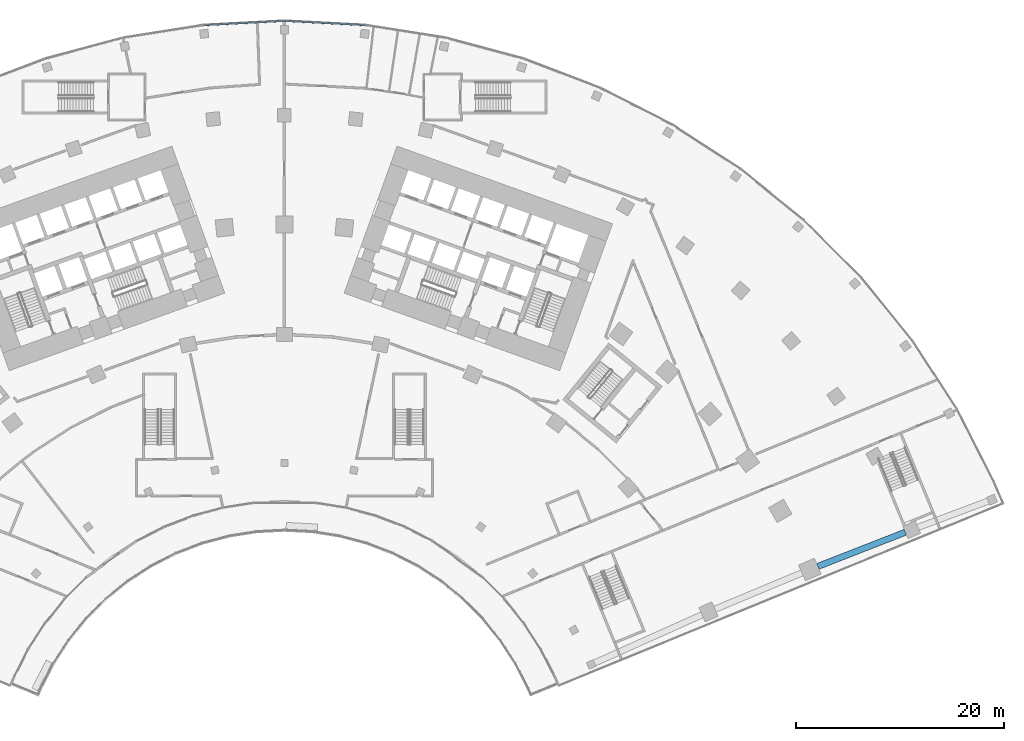
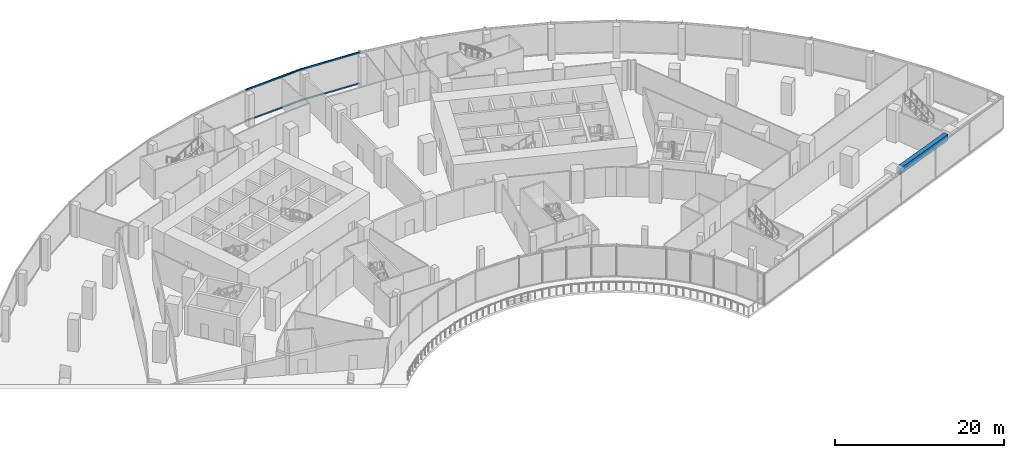
# One storey, part 11 of 39: 4 members, 1 beam, 1 element without a shape of its own.
"""IFC4 building model written with IfcOpenShell, lengths in metres."""

from ifc_helpers import new_model, si_unit, direction, frame, origin, origin_2d, place, context, subcontext, project, spatial, rectangle, extrude, material, layer, layer_set, material_profile, profile_set, type_object, element, aggregate, save


model = new_model("IFC4")

# Units and contexts
model_context = context("Model", 3, precision=1e-05, world=origin(), true_north=direction((0.0, 1.0)))
body_context = subcontext(model_context, "Body", "Model", "MODEL_VIEW")
ifc_project = project(units=[si_unit("LENGTHUNIT", "METRE"), si_unit("AREAUNIT", "SQUARE_METRE"), si_unit("VOLUMEUNIT", "CUBIC_METRE"), si_unit("PLANEANGLEUNIT", "RADIAN"), si_unit("MASSUNIT", "GRAM", prefix="KILO")], contexts=[model_context])

# Site, building, storey
site_placement = place(None, origin())
site = spatial("IfcSite", under=ifc_project, at=site_placement, CompositionType="ELEMENT")
building_placement = place(site_placement, origin())
building = spatial("IfcBuilding", under=site, at=building_placement, Name="Stone Belt Terrace Tower", CompositionType="ELEMENT")
storey_placement = place(building_placement, frame((0.0, 0.0, 20.800048828125)))
storey = spatial("IfcBuildingStorey", under=building, at=storey_placement, Name="L04", CompositionType="ELEMENT", Elevation=20.800048828125)

# Curtain wall, members
ifc_material_1 = material(Name="Aluminium 6063-T6 anodised frame", Category="aluminium")
ifc_layer = layer(ifc_material_1, 0.14990234375)
ifc_layer_set = layer_set([ifc_layer], Name="CW-D podium shopfront")
curtain_wall_type = type_object("IfcCurtainWallType", Name="CW-D podium shopfront", PredefinedType="NOTDEFINED", material=ifc_layer_set)
curtain_wall_placement = place(storey_placement, origin())
curtain_wall = element("IfcCurtainWall", 1, at=curtain_wall_placement, inside=storey, type_object=curtain_wall_type, Name="CW-D convex face L04", PredefinedType="NOTDEFINED")
ifc_material_profile_1 = material_profile(ifc_material_1, rectangle(XDim=0.14990234375, YDim=0.139892578125, at=origin_2d()), Name="Aluminium 6063-T6 150x140")
ifc_profile_set_1 = profile_set([ifc_material_profile_1], Name="Aluminium 6063-T6 anodised frame")
member_type = type_object("IfcMemberType", Name="CW-D transom 140 x 150", PredefinedType="USERDEFINED", material=ifc_profile_set_1)
member_1_placement = place(storey_placement, frame((7.761474609375, 74.16845703125, 0.070068359375), z_axis=(-0.998630871779, 0.052310438058, 0.0), x_axis=(-0.052310438058, -0.998630871779, 0.0)))
member_1 = element("IfcMember", 2, at=member_1_placement, type_object=member_type, Name="CW-D transom 12.1", ObjectType="TRANSOM", PredefinedType="USERDEFINED", context=body_context, shape_type="SweptSolid", body=[
    extrude(rectangle(XDim=0.14990234375, YDim=0.139892578125, at=origin_2d()), origin(), (0.0, 0.0, 1.0), 7.738037109375),
])
member_2_placement = place(storey_placement, frame((7.761474609375, 74.16845703125, 4.530029296875), z_axis=(-0.998630871779, 0.052310438058, 0.0), x_axis=(-0.052310438058, -0.998630871779, 0.0)))
member_2 = element("IfcMember", 3, at=member_2_placement, type_object=member_type, Name="CW-D transom 12.2", ObjectType="TRANSOM", PredefinedType="USERDEFINED", context=body_context, shape_type="SweptSolid", body=[
    extrude(rectangle(XDim=0.14990234375, YDim=0.139892578125, at=origin_2d()), origin(), (0.0, 0.0, 1.0), 7.738037109375),
])
member_3_placement = place(storey_placement, frame((-0.033935546875, 74.5732421875, 0.070068359375), z_axis=(-0.998630871779, -0.052310438058, 0.0), x_axis=(0.052310438058, -0.998630871779, 0.0)))
member_3 = element("IfcMember", 4, at=member_3_placement, type_object=member_type, Name="CW-D transom 13.1", ObjectType="TRANSOM", PredefinedType="USERDEFINED", context=body_context, shape_type="SweptSolid", body=[
    extrude(rectangle(XDim=0.14990234375, YDim=0.139892578125, at=origin_2d()), origin(), (0.0, 0.0, 1.0), 7.738037109375),
])
member_4_placement = place(storey_placement, frame((-0.033935546875, 74.5732421875, 4.530029296875), z_axis=(-0.998630871779, -0.052310438058, 0.0), x_axis=(0.052310438058, -0.998630871779, 0.0)))
member_4 = element("IfcMember", 5, at=member_4_placement, type_object=member_type, Name="CW-D transom 13.2", ObjectType="TRANSOM", PredefinedType="USERDEFINED", context=body_context, shape_type="SweptSolid", body=[
    extrude(rectangle(XDim=0.14990234375, YDim=0.139892578125, at=origin_2d()), origin(), (0.0, 0.0, 1.0), 7.738037109375),
])
aggregate(curtain_wall, [member_1, member_2, member_3, member_4])

# Beam
ifc_material_2 = material(Name="Concrete B60", Category="concrete")
ifc_material_profile_2 = material_profile(ifc_material_2, rectangle(XDim=0.60009765625, YDim=0.89990234375, at=origin_2d()), Name="RC 600x900")
ifc_profile_set_2 = profile_set([ifc_material_profile_2], Name="Concrete B60")
beam_type = type_object("IfcBeamType", Name="Edge beam RC 600x900 B60", PredefinedType="SPANDREL", material=ifc_profile_set_2)
beam_placement = place(storey_placement, frame((51.235107421875, 22.167724609375, 3.75), z_axis=(0.931488596429, 0.363770524813, 0.0), x_axis=(-0.363770524813, 0.931488596429, 0.0)))
element("IfcBeam", 6, at=beam_placement, inside=storey, type_object=beam_type, Name="Edge beam L04 B Q to R", PredefinedType="SPANDREL", context=body_context, shape_type="SweptSolid", body=[
    extrude(rectangle(XDim=0.60009765625, YDim=0.89990234375, at=origin_2d()), origin(), (0.0, 0.0, 1.0), 9.018798828125),
])

save(model, "model.ifc")
